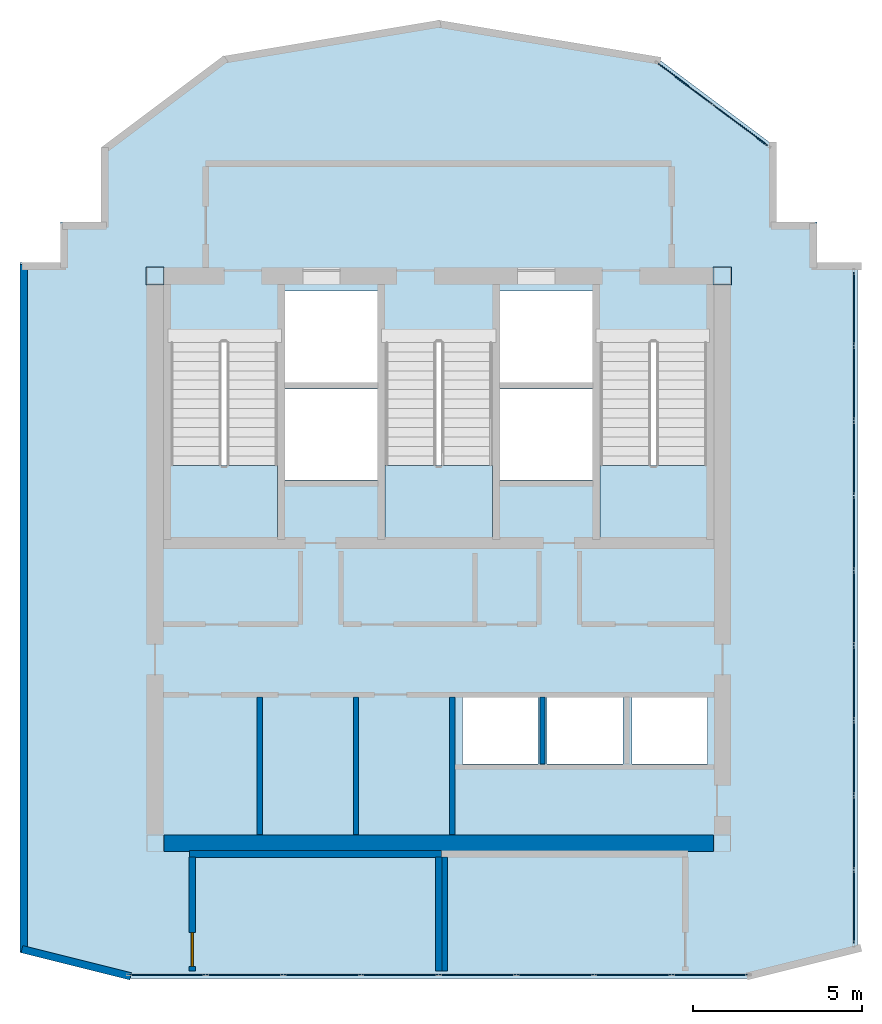
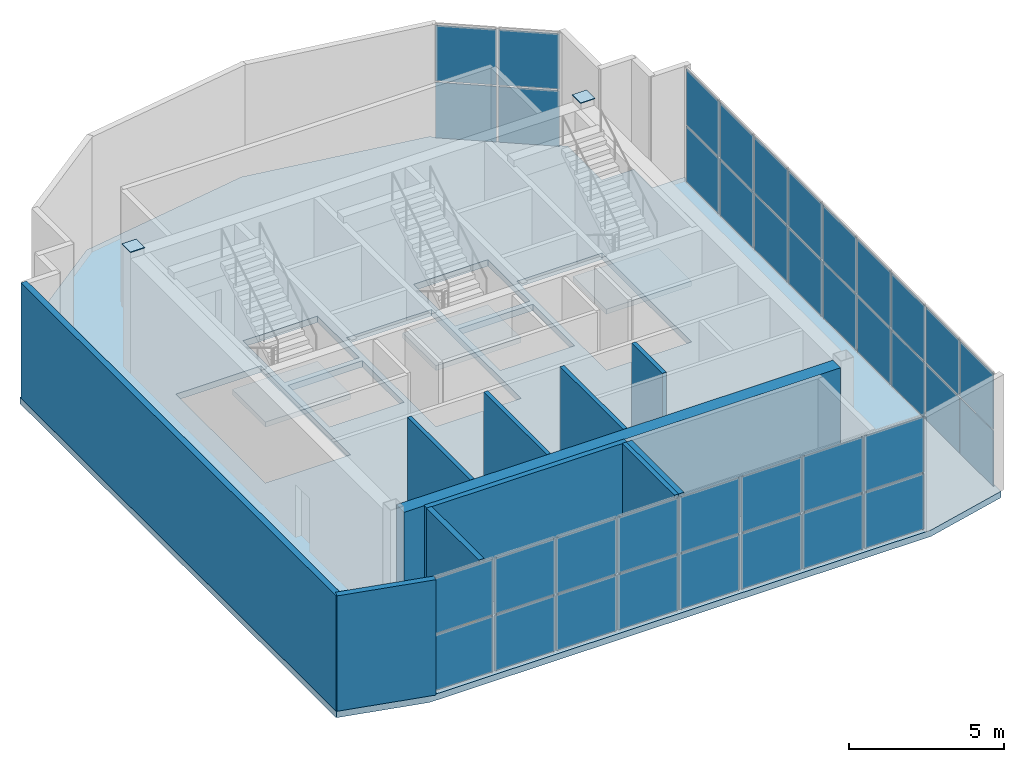
# One storey, part 6 of 9: 40 plates, 11 walls, 4 slabs, 1 door, 1 opening, 6 elements without a shape of their own.
"""IFC4 building model written with IfcOpenShell, lengths in metres."""

from ifc_helpers import new_model, si_unit, direction, frame, frame_2d, origin, origin_2d, place, context, subcontext, project, spatial, polyline, rectangle, outline, extrude, material, layer, layer_set, type_object, element, fill, aggregate, save


model = new_model("IFC4")

# Units and contexts
model_context = context("Model", 3, precision=1e-05, world=origin(), true_north=direction((0.0, 1.0)))
body_context = subcontext(model_context, "Body", "Model", "MODEL_VIEW")
ifc_project = project(units=[si_unit("LENGTHUNIT", "METRE"), si_unit("AREAUNIT", "SQUARE_METRE"), si_unit("VOLUMEUNIT", "CUBIC_METRE"), si_unit("PLANEANGLEUNIT", "RADIAN"), si_unit("MASSUNIT", "GRAM", prefix="KILO")], contexts=[model_context])

# Site, building, storey
site_placement = place(None, origin())
site = spatial("IfcSite", under=ifc_project, at=site_placement, CompositionType="ELEMENT")
building_placement = place(site_placement, origin())
building = spatial("IfcBuilding", under=site, at=building_placement, Name="Haolan Belvedere Tower", CompositionType="ELEMENT")
storey_placement = place(building_placement, frame((0.0, 0.0, 328.199951171875)))
storey = spatial("IfcBuildingStorey", under=building, at=storey_placement, Name="L82", CompositionType="ELEMENT", Elevation=328.199951171875)

# Curtain wall, plates
ifc_material_1 = material(Name="Anodised champagne-silver aluminium 6063-T6 and Low-E glass", Category="aluminium")
ifc_layer_1 = layer(ifc_material_1, 0.172119140625, Name="Anodised champagne-silver aluminium 6063-T6 and Low-E glass")
ifc_layer_set_1 = layer_set([ifc_layer_1], Name="Anodised champagne-silver aluminium 6063-T6 and Low-E glass")
curtain_wall_type = type_object("IfcCurtainWallType", Name="CW-SYS-07", PredefinedType="NOTDEFINED", material=ifc_layer_set_1)
curtain_wall_1_placement = place(storey_placement, origin())
curtain_wall_1 = element("IfcCurtainWall", 1, at=curtain_wall_1_placement, inside=storey, type_object=curtain_wall_type, Name="L82 CW-SYS-07 ribbon curtain wall 2.1", PredefinedType="NOTDEFINED")
ifc_material_2 = material(Name="Double silver Low-E laminated insulating glass", Category="glass")
ifc_layer_2 = layer(ifc_material_2, 0.030029296875, Name="Double silver Low-E laminated insulating glass")
ifc_layer_set_2 = layer_set([ifc_layer_2], Name="Double silver Low-E laminated insulating glass")
plate_type_1 = type_object("IfcPlateType", Name="CW-SYS-07-PNL", PredefinedType="CURTAIN_PANEL", material=ifc_layer_set_2)
plate_1_placement = place(storey_placement, frame((30.365234375, 22.510009765625, 0.05810546875), z_axis=(0.0, 0.0, 1.0), x_axis=(1.0, 0.0, 0.0)))
plate_1 = element("IfcPlate", 2, at=plate_1_placement, type_object=plate_type_1, Name="CW-07 panel 1.1", PredefinedType="CURTAIN_PANEL", context=body_context, shape_type="SweptSolid", body=[
    extrude(rectangle(XDim=2.20703125, YDim=0.030029296875, at=origin_2d()), origin(), (0.0, 0.0, 1.0), 2.18798828125),
])
plate_2_placement = place(storey_placement, frame((30.365234375, 22.510009765625, 2.303955078125), z_axis=(0.0, 0.0, 1.0), x_axis=(1.0, 0.0, 0.0)))
plate_2 = element("IfcPlate", 3, at=plate_2_placement, type_object=plate_type_1, Name="CW-07 panel 1.2", PredefinedType="CURTAIN_PANEL", context=body_context, shape_type="SweptSolid", body=[
    extrude(rectangle(XDim=2.20703125, YDim=0.030029296875, at=origin_2d()), origin(), (0.0, 0.0, 1.0), 2.18798828125),
])
plate_3_placement = place(storey_placement, frame((32.64990234375, 22.510009765625, 0.05810546875), z_axis=(0.0, 0.0, 1.0), x_axis=(1.0, 0.0, 0.0)))
plate_3 = element("IfcPlate", 4, at=plate_3_placement, type_object=plate_type_1, Name="CW-07 panel 2.1", PredefinedType="CURTAIN_PANEL", context=body_context, shape_type="SweptSolid", body=[
    extrude(rectangle(XDim=2.238037109375, YDim=0.030029296875, at=origin_2d()), origin(), (0.0, 0.0, 1.0), 2.18798828125),
])
plate_4_placement = place(storey_placement, frame((32.64990234375, 22.510009765625, 2.303955078125), z_axis=(0.0, 0.0, 1.0), x_axis=(1.0, 0.0, 0.0)))
plate_4 = element("IfcPlate", 5, at=plate_4_placement, type_object=plate_type_1, Name="CW-07 panel 2.2", PredefinedType="CURTAIN_PANEL", context=body_context, shape_type="SweptSolid", body=[
    extrude(rectangle(XDim=2.238037109375, YDim=0.030029296875, at=origin_2d()), origin(), (0.0, 0.0, 1.0), 2.18798828125),
])
plate_5_placement = place(storey_placement, frame((34.949951171875, 22.510009765625, 0.05810546875), z_axis=(0.0, 0.0, 1.0), x_axis=(1.0, 0.0, 0.0)))
plate_5 = element("IfcPlate", 6, at=plate_5_placement, type_object=plate_type_1, Name="CW-07 panel 3.1", PredefinedType="CURTAIN_PANEL", context=body_context, shape_type="SweptSolid", body=[
    extrude(rectangle(XDim=2.238037109375, YDim=0.030029296875, at=origin_2d()), origin(), (0.0, 0.0, 1.0), 2.18798828125),
])
plate_6_placement = place(storey_placement, frame((34.949951171875, 22.510009765625, 2.303955078125), z_axis=(0.0, 0.0, 1.0), x_axis=(1.0, 0.0, 0.0)))
plate_6 = element("IfcPlate", 7, at=plate_6_placement, type_object=plate_type_1, Name="CW-07 panel 3.2", PredefinedType="CURTAIN_PANEL", context=body_context, shape_type="SweptSolid", body=[
    extrude(rectangle(XDim=2.238037109375, YDim=0.030029296875, at=origin_2d()), origin(), (0.0, 0.0, 1.0), 2.18798828125),
])
plate_7_placement = place(storey_placement, frame((37.25, 22.510009765625, 0.05810546875), z_axis=(0.0, 0.0, 1.0), x_axis=(1.0, 0.0, 0.0)))
plate_7 = element("IfcPlate", 8, at=plate_7_placement, type_object=plate_type_1, Name="CW-07 panel 4.1", PredefinedType="CURTAIN_PANEL", context=body_context, shape_type="SweptSolid", body=[
    extrude(rectangle(XDim=2.238037109375, YDim=0.030029296875, at=origin_2d()), origin(), (0.0, 0.0, 1.0), 2.18798828125),
])
plate_8_placement = place(storey_placement, frame((37.25, 22.510009765625, 2.303955078125), z_axis=(0.0, 0.0, 1.0), x_axis=(1.0, 0.0, 0.0)))
plate_8 = element("IfcPlate", 9, at=plate_8_placement, type_object=plate_type_1, Name="CW-07 panel 4.2", PredefinedType="CURTAIN_PANEL", context=body_context, shape_type="SweptSolid", body=[
    extrude(rectangle(XDim=2.238037109375, YDim=0.030029296875, at=origin_2d()), origin(), (0.0, 0.0, 1.0), 2.18798828125),
])
plate_9_placement = place(storey_placement, frame((39.550048828125, 22.510009765625, 0.05810546875), z_axis=(0.0, 0.0, 1.0), x_axis=(1.0, 0.0, 0.0)))
plate_9 = element("IfcPlate", 10, at=plate_9_placement, type_object=plate_type_1, Name="CW-07 panel 5.1", PredefinedType="CURTAIN_PANEL", context=body_context, shape_type="SweptSolid", body=[
    extrude(rectangle(XDim=2.238037109375, YDim=0.030029296875, at=origin_2d()), origin(), (0.0, 0.0, 1.0), 2.18798828125),
])
plate_10_placement = place(storey_placement, frame((39.550048828125, 22.510009765625, 2.303955078125), z_axis=(0.0, 0.0, 1.0), x_axis=(1.0, 0.0, 0.0)))
plate_10 = element("IfcPlate", 11, at=plate_10_placement, type_object=plate_type_1, Name="CW-07 panel 5.2", PredefinedType="CURTAIN_PANEL", context=body_context, shape_type="SweptSolid", body=[
    extrude(rectangle(XDim=2.238037109375, YDim=0.030029296875, at=origin_2d()), origin(), (0.0, 0.0, 1.0), 2.18798828125),
])
plate_11_placement = place(storey_placement, frame((41.85009765625, 22.510009765625, 0.05810546875), z_axis=(0.0, 0.0, 1.0), x_axis=(1.0, 0.0, 0.0)))
plate_11 = element("IfcPlate", 12, at=plate_11_placement, type_object=plate_type_1, Name="CW-07 panel 6.1", PredefinedType="CURTAIN_PANEL", context=body_context, shape_type="SweptSolid", body=[
    extrude(rectangle(XDim=2.238037109375, YDim=0.030029296875, at=origin_2d()), origin(), (0.0, 0.0, 1.0), 2.18798828125),
])
plate_12_placement = place(storey_placement, frame((41.85009765625, 22.510009765625, 2.303955078125), z_axis=(0.0, 0.0, 1.0), x_axis=(1.0, 0.0, 0.0)))
plate_12 = element("IfcPlate", 13, at=plate_12_placement, type_object=plate_type_1, Name="CW-07 panel 6.2", PredefinedType="CURTAIN_PANEL", context=body_context, shape_type="SweptSolid", body=[
    extrude(rectangle(XDim=2.238037109375, YDim=0.030029296875, at=origin_2d()), origin(), (0.0, 0.0, 1.0), 2.18798828125),
])
plate_13_placement = place(storey_placement, frame((44.150146484375, 22.510009765625, 0.05810546875), z_axis=(0.0, 0.0, 1.0), x_axis=(1.0, 0.0, 0.0)))
plate_13 = element("IfcPlate", 14, at=plate_13_placement, type_object=plate_type_1, Name="CW-07 panel 7.1", PredefinedType="CURTAIN_PANEL", context=body_context, shape_type="SweptSolid", body=[
    extrude(rectangle(XDim=2.238037109375, YDim=0.030029296875, at=origin_2d()), origin(), (0.0, 0.0, 1.0), 2.18798828125),
])
plate_14_placement = place(storey_placement, frame((44.150146484375, 22.510009765625, 2.303955078125), z_axis=(0.0, 0.0, 1.0), x_axis=(1.0, 0.0, 0.0)))
plate_14 = element("IfcPlate", 15, at=plate_14_placement, type_object=plate_type_1, Name="CW-07 panel 7.2", PredefinedType="CURTAIN_PANEL", context=body_context, shape_type="SweptSolid", body=[
    extrude(rectangle(XDim=2.238037109375, YDim=0.030029296875, at=origin_2d()), origin(), (0.0, 0.0, 1.0), 2.18798828125),
])
plate_15_placement = place(storey_placement, frame((46.434814453125, 22.510009765625, 0.05810546875), z_axis=(0.0, 0.0, 1.0), x_axis=(1.0, 0.0, 0.0)))
plate_15 = element("IfcPlate", 16, at=plate_15_placement, type_object=plate_type_1, Name="CW-07 panel 8.1", PredefinedType="CURTAIN_PANEL", context=body_context, shape_type="SweptSolid", body=[
    extrude(rectangle(XDim=2.20703125, YDim=0.030029296875, at=origin_2d()), origin(), (0.0, 0.0, 1.0), 2.18798828125),
])
plate_16_placement = place(storey_placement, frame((46.434814453125, 22.510009765625, 2.303955078125), z_axis=(0.0, 0.0, 1.0), x_axis=(1.0, 0.0, 0.0)))
plate_16 = element("IfcPlate", 17, at=plate_16_placement, type_object=plate_type_1, Name="CW-07 panel 8.2", PredefinedType="CURTAIN_PANEL", context=body_context, shape_type="SweptSolid", body=[
    extrude(rectangle(XDim=2.20703125, YDim=0.030029296875, at=origin_2d()), origin(), (0.0, 0.0, 1.0), 2.18798828125),
])
aggregate(curtain_wall_1, [plate_1, plate_2, plate_3, plate_4, plate_5, plate_6, plate_7, plate_8, plate_9, plate_10, plate_11, plate_12, plate_13, plate_14, plate_15, plate_16])

curtain_wall_2_placement = place(storey_placement, origin())
curtain_wall_2 = element("IfcCurtainWall", 18, at=curtain_wall_2_placement, inside=storey, type_object=curtain_wall_type, Name="L82 CW-SYS-07 ribbon curtain wall 4.1", PredefinedType="NOTDEFINED")
plate_17_placement = place(storey_placement, frame((50.68994140625, 24.511962890625, 0.05810546875), z_axis=(0.0, 0.0, 1.0), x_axis=(0.0, 1.0, 0.0)))
plate_17 = element("IfcPlate", 19, at=plate_17_placement, type_object=plate_type_1, Name="CW-07 panel 1.1", PredefinedType="CURTAIN_PANEL", context=body_context, shape_type="SweptSolid", body=[
    extrude(rectangle(XDim=2.125, YDim=0.030029296875, at=origin_2d()), origin(), (0.0, 0.0, 1.0), 2.18798828125),
])
plate_18_placement = place(storey_placement, frame((50.68994140625, 24.511962890625, 2.303955078125), z_axis=(0.0, 0.0, 1.0), x_axis=(0.0, 1.0, 0.0)))
plate_18 = element("IfcPlate", 20, at=plate_18_placement, type_object=plate_type_1, Name="CW-07 panel 1.2", PredefinedType="CURTAIN_PANEL", context=body_context, shape_type="SweptSolid", body=[
    extrude(rectangle(XDim=2.125, YDim=0.030029296875, at=origin_2d()), origin(), (0.0, 0.0, 1.0), 2.18798828125),
])
plate_19_placement = place(storey_placement, frame((50.68994140625, 26.714599609375, 0.05810546875), z_axis=(0.0, 0.0, 1.0), x_axis=(0.0, 1.0, 0.0)))
plate_19 = element("IfcPlate", 21, at=plate_19_placement, type_object=plate_type_1, Name="CW-07 panel 2.1", PredefinedType="CURTAIN_PANEL", context=body_context, shape_type="SweptSolid", body=[
    extrude(rectangle(XDim=2.156005859375, YDim=0.030029296875, at=origin_2d()), origin(), (0.0, 0.0, 1.0), 2.18798828125),
])
plate_20_placement = place(storey_placement, frame((50.68994140625, 26.714599609375, 2.303955078125), z_axis=(0.0, 0.0, 1.0), x_axis=(0.0, 1.0, 0.0)))
plate_20 = element("IfcPlate", 22, at=plate_20_placement, type_object=plate_type_1, Name="CW-07 panel 2.2", PredefinedType="CURTAIN_PANEL", context=body_context, shape_type="SweptSolid", body=[
    extrude(rectangle(XDim=2.156005859375, YDim=0.030029296875, at=origin_2d()), origin(), (0.0, 0.0, 1.0), 2.18798828125),
])
plate_21_placement = place(storey_placement, frame((50.68994140625, 28.9326171875, 0.05810546875), z_axis=(0.0, 0.0, 1.0), x_axis=(0.0, 1.0, 0.0)))
plate_21 = element("IfcPlate", 23, at=plate_21_placement, type_object=plate_type_1, Name="CW-07 panel 3.1", PredefinedType="CURTAIN_PANEL", context=body_context, shape_type="SweptSolid", body=[
    extrude(rectangle(XDim=2.156005859375, YDim=0.030029296875, at=origin_2d()), origin(), (0.0, 0.0, 1.0), 2.18798828125),
])
plate_22_placement = place(storey_placement, frame((50.68994140625, 28.9326171875, 2.303955078125), z_axis=(0.0, 0.0, 1.0), x_axis=(0.0, 1.0, 0.0)))
plate_22 = element("IfcPlate", 24, at=plate_22_placement, type_object=plate_type_1, Name="CW-07 panel 3.2", PredefinedType="CURTAIN_PANEL", context=body_context, shape_type="SweptSolid", body=[
    extrude(rectangle(XDim=2.156005859375, YDim=0.030029296875, at=origin_2d()), origin(), (0.0, 0.0, 1.0), 2.18798828125),
])
plate_23_placement = place(storey_placement, frame((50.68994140625, 31.150634765625, 0.05810546875), z_axis=(0.0, 0.0, 1.0), x_axis=(0.0, 1.0, 0.0)))
plate_23 = element("IfcPlate", 25, at=plate_23_placement, type_object=plate_type_1, Name="CW-07 panel 4.1", PredefinedType="CURTAIN_PANEL", context=body_context, shape_type="SweptSolid", body=[
    extrude(rectangle(XDim=2.156005859375, YDim=0.030029296875, at=origin_2d()), origin(), (0.0, 0.0, 1.0), 2.18798828125),
])
plate_24_placement = place(storey_placement, frame((50.68994140625, 31.150634765625, 2.303955078125), z_axis=(0.0, 0.0, 1.0), x_axis=(0.0, 1.0, 0.0)))
plate_24 = element("IfcPlate", 26, at=plate_24_placement, type_object=plate_type_1, Name="CW-07 panel 4.2", PredefinedType="CURTAIN_PANEL", context=body_context, shape_type="SweptSolid", body=[
    extrude(rectangle(XDim=2.156005859375, YDim=0.030029296875, at=origin_2d()), origin(), (0.0, 0.0, 1.0), 2.18798828125),
])
plate_25_placement = place(storey_placement, frame((50.68994140625, 33.36865234375, 0.05810546875), z_axis=(0.0, 0.0, 1.0), x_axis=(0.0, 1.0, 0.0)))
plate_25 = element("IfcPlate", 27, at=plate_25_placement, type_object=plate_type_1, Name="CW-07 panel 5.1", PredefinedType="CURTAIN_PANEL", context=body_context, shape_type="SweptSolid", body=[
    extrude(rectangle(XDim=2.156005859375, YDim=0.030029296875, at=origin_2d()), origin(), (0.0, 0.0, 1.0), 2.18798828125),
])
plate_26_placement = place(storey_placement, frame((50.68994140625, 33.36865234375, 2.303955078125), z_axis=(0.0, 0.0, 1.0), x_axis=(0.0, 1.0, 0.0)))
plate_26 = element("IfcPlate", 28, at=plate_26_placement, type_object=plate_type_1, Name="CW-07 panel 5.2", PredefinedType="CURTAIN_PANEL", context=body_context, shape_type="SweptSolid", body=[
    extrude(rectangle(XDim=2.156005859375, YDim=0.030029296875, at=origin_2d()), origin(), (0.0, 0.0, 1.0), 2.18798828125),
])
plate_27_placement = place(storey_placement, frame((50.68994140625, 35.5869140625, 0.05810546875), z_axis=(0.0, 0.0, 1.0), x_axis=(0.0, 1.0, 0.0)))
plate_27 = element("IfcPlate", 29, at=plate_27_placement, type_object=plate_type_1, Name="CW-07 panel 6.1", PredefinedType="CURTAIN_PANEL", context=body_context, shape_type="SweptSolid", body=[
    extrude(rectangle(XDim=2.156005859375, YDim=0.030029296875, at=origin_2d()), origin(), (0.0, 0.0, 1.0), 2.18798828125),
])
plate_28_placement = place(storey_placement, frame((50.68994140625, 35.5869140625, 2.303955078125), z_axis=(0.0, 0.0, 1.0), x_axis=(0.0, 1.0, 0.0)))
plate_28 = element("IfcPlate", 30, at=plate_28_placement, type_object=plate_type_1, Name="CW-07 panel 6.2", PredefinedType="CURTAIN_PANEL", context=body_context, shape_type="SweptSolid", body=[
    extrude(rectangle(XDim=2.156005859375, YDim=0.030029296875, at=origin_2d()), origin(), (0.0, 0.0, 1.0), 2.18798828125),
])
plate_29_placement = place(storey_placement, frame((50.68994140625, 37.804931640625, 0.05810546875), z_axis=(0.0, 0.0, 1.0), x_axis=(0.0, 1.0, 0.0)))
plate_29 = element("IfcPlate", 31, at=plate_29_placement, type_object=plate_type_1, Name="CW-07 panel 7.1", PredefinedType="CURTAIN_PANEL", context=body_context, shape_type="SweptSolid", body=[
    extrude(rectangle(XDim=2.156005859375, YDim=0.030029296875, at=origin_2d()), origin(), (0.0, 0.0, 1.0), 2.18798828125),
])
plate_30_placement = place(storey_placement, frame((50.68994140625, 37.804931640625, 2.303955078125), z_axis=(0.0, 0.0, 1.0), x_axis=(0.0, 1.0, 0.0)))
plate_30 = element("IfcPlate", 32, at=plate_30_placement, type_object=plate_type_1, Name="CW-07 panel 7.2", PredefinedType="CURTAIN_PANEL", context=body_context, shape_type="SweptSolid", body=[
    extrude(rectangle(XDim=2.156005859375, YDim=0.030029296875, at=origin_2d()), origin(), (0.0, 0.0, 1.0), 2.18798828125),
])
plate_31_placement = place(storey_placement, frame((50.68994140625, 40.02294921875, 0.05810546875), z_axis=(0.0, 0.0, 1.0), x_axis=(0.0, 1.0, 0.0)))
plate_31 = element("IfcPlate", 33, at=plate_31_placement, type_object=plate_type_1, Name="CW-07 panel 8.1", PredefinedType="CURTAIN_PANEL", context=body_context, shape_type="SweptSolid", body=[
    extrude(rectangle(XDim=2.156005859375, YDim=0.030029296875, at=origin_2d()), origin(), (0.0, 0.0, 1.0), 2.18798828125),
])
plate_32_placement = place(storey_placement, frame((50.68994140625, 40.02294921875, 2.303955078125), z_axis=(0.0, 0.0, 1.0), x_axis=(0.0, 1.0, 0.0)))
plate_32 = element("IfcPlate", 34, at=plate_32_placement, type_object=plate_type_1, Name="CW-07 panel 8.2", PredefinedType="CURTAIN_PANEL", context=body_context, shape_type="SweptSolid", body=[
    extrude(rectangle(XDim=2.156005859375, YDim=0.030029296875, at=origin_2d()), origin(), (0.0, 0.0, 1.0), 2.18798828125),
])
plate_33_placement = place(storey_placement, frame((50.68994140625, 42.2255859375, 0.05810546875), z_axis=(0.0, 0.0, 1.0), x_axis=(0.0, 1.0, 0.0)))
plate_33 = element("IfcPlate", 35, at=plate_33_placement, type_object=plate_type_1, Name="CW-07 panel 9.1", PredefinedType="CURTAIN_PANEL", context=body_context, shape_type="SweptSolid", body=[
    extrude(rectangle(XDim=2.125, YDim=0.030029296875, at=origin_2d()), origin(), (0.0, 0.0, 1.0), 2.18798828125),
])
plate_34_placement = place(storey_placement, frame((50.68994140625, 42.2255859375, 2.303955078125), z_axis=(0.0, 0.0, 1.0), x_axis=(0.0, 1.0, 0.0)))
plate_34 = element("IfcPlate", 36, at=plate_34_placement, type_object=plate_type_1, Name="CW-07 panel 9.2", PredefinedType="CURTAIN_PANEL", context=body_context, shape_type="SweptSolid", body=[
    extrude(rectangle(XDim=2.125, YDim=0.030029296875, at=origin_2d()), origin(), (0.0, 0.0, 1.0), 2.18798828125),
])
aggregate(curtain_wall_2, [plate_17, plate_18, plate_19, plate_20, plate_21, plate_22, plate_23, plate_24, plate_25, plate_26, plate_27, plate_28, plate_29, plate_30, plate_31, plate_32, plate_33, plate_34])

curtain_wall_3_placement = place(storey_placement, origin())
curtain_wall_3 = element("IfcCurtainWall", 37, at=curtain_wall_3_placement, inside=storey, type_object=curtain_wall_type, Name="L82 CW-SYS-07 ribbon curtain wall 9.1", PredefinedType="NOTDEFINED")
plate_35_placement = place(storey_placement, frame((47.33544921875, 47.660888671875, 0.05810546875), z_axis=(0.0, 0.0, 1.0), x_axis=(-0.799991326093, 0.600011565036, 0.0)))
plate_35 = element("IfcPlate", 38, at=plate_35_placement, type_object=plate_type_1, Name="CW-07 panel 1.1", PredefinedType="CURTAIN_PANEL", context=body_context, shape_type="SweptSolid", body=[
    extrude(rectangle(XDim=1.982177734375, YDim=0.030029296875, at=origin_2d()), origin(), (0.0, 0.0, 1.0), 2.18798828125),
])
plate_36_placement = place(storey_placement, frame((47.33544921875, 47.660888671875, 2.303955078125), z_axis=(0.0, 0.0, 1.0), x_axis=(-0.799991326093, 0.600011565036, 0.0)))
plate_36 = element("IfcPlate", 39, at=plate_36_placement, type_object=plate_type_1, Name="CW-07 panel 1.2", PredefinedType="CURTAIN_PANEL", context=body_context, shape_type="SweptSolid", body=[
    extrude(rectangle(XDim=1.982177734375, YDim=0.030029296875, at=origin_2d()), origin(), (0.0, 0.0, 1.0), 2.18798828125),
])
plate_37_placement = place(storey_placement, frame((45.7001953125, 48.887451171875, 0.05810546875), z_axis=(0.0, 0.0, 1.0), x_axis=(-0.799991326093, 0.600011565036, 0.0)))
plate_37 = element("IfcPlate", 40, at=plate_37_placement, type_object=plate_type_1, Name="CW-07 panel 2.1", PredefinedType="CURTAIN_PANEL", context=body_context, shape_type="SweptSolid", body=[
    extrude(rectangle(XDim=1.982177734375, YDim=0.030029296875, at=origin_2d()), origin(), (0.0, 0.0, 1.0), 2.18798828125),
])
plate_38_placement = place(storey_placement, frame((45.7001953125, 48.887451171875, 2.303955078125), z_axis=(0.0, 0.0, 1.0), x_axis=(-0.799991326093, 0.600011565036, 0.0)))
plate_38 = element("IfcPlate", 41, at=plate_38_placement, type_object=plate_type_1, Name="CW-07 panel 2.2", PredefinedType="CURTAIN_PANEL", context=body_context, shape_type="SweptSolid", body=[
    extrude(rectangle(XDim=1.982177734375, YDim=0.030029296875, at=origin_2d()), origin(), (0.0, 0.0, 1.0), 2.18798828125),
])
aggregate(curtain_wall_3, [plate_35, plate_36, plate_37, plate_38])

# Plates
ifc_material_3 = material(Name="Steel Q355B", Category="steel")
ifc_layer_3 = layer(ifc_material_3, 0.02490234375, Name="Steel Q355B")
ifc_layer_set_3 = layer_set([ifc_layer_3], Name="Steel Q355B")
plate_type_2 = type_object("IfcPlateType", Name="PL-CAP-25", PredefinedType="SHEET", material=ifc_layer_set_3)
for number, where, z_axis, x_axis, name in (
    (42, (30.0, 43.199951171875, 4.800048828125), (0.0, 0.0, 1.0), (1.0, 0.0, 0.0), "Hollow steel end-cap plate COL-L82-CC-CR-NW-TCAP"),
    (43, (46.800048828125, 43.199951171875, 4.800048828125), (0.0, 0.0, 1.0), (1.0, 0.0, 0.0), "Hollow steel end-cap plate COL-L82-CC-CR-NE-TCAP"),
):
    element("IfcPlate", number, at=place(storey_placement, frame(where, z_axis=z_axis, x_axis=x_axis)), inside=storey, type_object=plate_type_2, Name=name, PredefinedType="SHEET", context=body_context, shape_type="SweptSolid", body=[
        extrude(rectangle(XDim=0.5400390625, YDim=0.5400390625, at=origin_2d()), origin(), (0.0, 0.0, 1.0), 0.02490234375),
    ])

# Slab
ifc_material_4 = material(Name="Concrete C40/50", Category="concrete")
ifc_layer_4 = layer(ifc_material_4, 0.25, Name="Concrete C40/50")
ifc_layer_set_4 = layer_set([ifc_layer_4], Name="Concrete C40/50")
slab_type_1 = type_object("IfcSlabType", Name="SL-FLR-250", PredefinedType="FLOOR", material=ifc_layer_set_4)
slab_1_placement = place(storey_placement, frame((0.0, 0.0, -0.25)))
element("IfcSlab", 44, at=slab_1_placement, inside=storey, type_object=slab_type_1, Name="L82 structural floor slab", PredefinedType="FLOOR", context=body_context, shape_type="SweptSolid", body=[
    extrude(outline(polyline([(26.0, 43.60009765625), (27.199951171875, 43.60009765625), (27.199951171875, 44.800048828125), (28.39990234375, 44.800048828125), (28.39990234375, 47.0), (32.009765625, 49.70751953125), (38.39990234375, 50.7724609375), (44.790283203125, 49.70751953125), (48.39990234375, 47.0), (48.39990234375, 44.800048828125), (49.60009765625, 44.800048828125), (49.60009765625, 43.60009765625), (50.800048828125, 43.60009765625), (50.800048828125, 23.16162109375), (47.75390625, 22.39990234375), (29.046142578125, 22.39990234375), (26.0, 23.16162109375), (26.0, 43.60009765625)]), holes=[polyline([(30.449951171875, 41.22998046875), (30.449951171875, 35.449951171875), (33.6298828125, 35.449951171875), (33.6298828125, 41.22998046875), (30.449951171875, 41.22998046875)]), polyline([(36.81005859375, 41.22998046875), (36.81005859375, 35.449951171875), (39.989990234375, 35.449951171875), (39.989990234375, 41.22998046875), (36.81005859375, 41.22998046875)]), polyline([(43.169921875, 41.22998046875), (43.169921875, 35.449951171875), (46.35009765625, 35.449951171875), (46.35009765625, 41.22998046875), (43.169921875, 41.22998046875)]), polyline([(33.830078125, 40.050048828125), (36.610107421875, 40.050048828125), (36.610107421875, 42.75), (33.830078125, 42.75), (33.830078125, 40.050048828125)]), polyline([(33.830078125, 37.14990234375), (36.610107421875, 37.14990234375), (36.610107421875, 39.85009765625), (33.830078125, 39.85009765625), (33.830078125, 37.14990234375)]), polyline([(40.18994140625, 40.050048828125), (42.969970703125, 40.050048828125), (42.969970703125, 42.75), (40.18994140625, 42.75), (40.18994140625, 40.050048828125)]), polyline([(40.18994140625, 37.14990234375), (42.969970703125, 37.14990234375), (42.969970703125, 39.85009765625), (40.18994140625, 39.85009765625), (40.18994140625, 37.14990234375)]), polyline([(39.10009765625, 28.75), (41.340087890625, 28.75), (41.340087890625, 30.75), (39.10009765625, 30.75), (39.10009765625, 28.75)]), polyline([(41.610107421875, 28.75), (43.85009765625, 28.75), (43.85009765625, 30.75), (41.610107421875, 30.75), (41.610107421875, 28.75)]), polyline([(44.1201171875, 28.75), (46.360107421875, 28.75), (46.360107421875, 30.75), (44.1201171875, 30.75), (44.1201171875, 28.75)])]), origin(), (0.0, 0.0, 1.0), 0.25),
])

# Stair, slab
stair_type = type_object("IfcStairType", Name="STR-DL-28R-171", PredefinedType="HALF_TURN_STAIR", material=ifc_material_4)
stair_1_placement = place(storey_placement, origin())
stair_1 = element("IfcStair", 45, at=stair_1_placement, inside=storey, type_object=stair_type, Name="L82 Smokeproof Core Exit Stair ST1", PredefinedType="HALF_TURN_STAIR")
ifc_layer_5 = layer(ifc_material_4, 0.199951171875, Name="Concrete C40/50")
ifc_layer_set_5 = layer_set([ifc_layer_5], Name="Concrete C40/50")
slab_type_2 = type_object("IfcSlabType", Name="SL-LAND-200", PredefinedType="LANDING", material=ifc_layer_set_5)
slab_2_placement = place(storey_placement, frame((0.0, 0.0, 2.199951171875)))
slab_2 = element("IfcSlab", 46, at=slab_2_placement, type_object=slab_type_2, Name="ST1 landing 1", PredefinedType="LANDING", context=body_context, shape_type="SweptSolid", body=[
    extrude(outline(polyline([(30.449951171875, 37.590087890625), (30.449951171875, 35.449951171875), (33.6298828125, 35.449951171875), (33.6298828125, 37.590087890625), (30.449951171875, 37.590087890625)])), origin(), (0.0, 0.0, 1.0), 0.2001953125),
])
aggregate(stair_1, [slab_2])

stair_2_placement = place(storey_placement, origin())
stair_2 = element("IfcStair", 47, at=stair_2_placement, inside=storey, type_object=stair_type, Name="L82 Smokeproof Core Exit Stair ST3", PredefinedType="HALF_TURN_STAIR")
slab_3_placement = place(storey_placement, frame((0.0, 0.0, 2.199951171875)))
slab_3 = element("IfcSlab", 48, at=slab_3_placement, type_object=slab_type_2, Name="ST3 landing 1", PredefinedType="LANDING", context=body_context, shape_type="SweptSolid", body=[
    extrude(outline(polyline([(36.81005859375, 37.590087890625), (36.81005859375, 35.449951171875), (39.989990234375, 35.449951171875), (39.989990234375, 37.590087890625), (36.81005859375, 37.590087890625)])), origin(), (0.0, 0.0, 1.0), 0.2001953125),
])
aggregate(stair_2, [slab_3])

stair_3_placement = place(storey_placement, origin())
stair_3 = element("IfcStair", 49, at=stair_3_placement, inside=storey, type_object=stair_type, Name="L82 Smokeproof Core Exit Stair ST2", PredefinedType="HALF_TURN_STAIR")
slab_4_placement = place(storey_placement, frame((0.0, 0.0, 2.199951171875)))
slab_4 = element("IfcSlab", 50, at=slab_4_placement, type_object=slab_type_2, Name="ST2 landing 1", PredefinedType="LANDING", context=body_context, shape_type="SweptSolid", body=[
    extrude(outline(polyline([(43.169921875, 37.590087890625), (43.169921875, 35.449951171875), (46.35009765625, 35.449951171875), (46.35009765625, 37.590087890625), (43.169921875, 37.590087890625)])), origin(), (0.0, 0.0, 1.0), 0.2001953125),
])
aggregate(stair_3, [slab_4])

# Walls
ifc_material_5 = material(Name="Concrete C50/60", Category="concrete")
ifc_layer_6 = layer(ifc_material_5, 0.5, Name="Concrete C50/60")
ifc_layer_set_6 = layer_set([ifc_layer_6], Name="Concrete C50/60")
wall_type_1 = type_object("IfcWallType", Name="WL-CORE-500", PredefinedType="SHEAR", material=ifc_layer_set_6)
wall_1_placement = place(storey_placement, frame((30.260009765625, 26.39990234375, 0.0), z_axis=(0.0, 0.0, 1.0), x_axis=(1.0, 0.0, 0.0)))
element("IfcWall", 51, at=wall_1_placement, inside=storey, type_object=wall_type_1, Name="L82 central core south shear wall", PredefinedType="SHEAR", context=body_context, shape_type="SweptSolid", body=[
    extrude(rectangle(XDim=16.280029296875, YDim=0.5, at=frame_2d((8.14013671875, 0.0))), origin(), (0.0, 0.0, 1.0), 4.550048828125),
])
ifc_material_6 = material(Name="Precast concrete C40/50", Category="concrete")
ifc_layer_7 = layer(ifc_material_6, 0.219970703125, Name="Precast concrete C40/50")
ifc_layer_set_7 = layer_set([ifc_layer_7], Name="Precast concrete C40/50")
wall_type_2 = type_object("IfcWallType", Name="WL-EXT-220", PredefinedType="SOLIDWALL", material=ifc_layer_set_7)
wall_2_placement = place(storey_placement, frame((26.056640625, 23.2607421875, 0.0), z_axis=(0.0, 0.0, 1.0), x_axis=(0.970138175099, -0.242552924566, 0.0)))
element("IfcWall", 52, at=wall_2_placement, inside=storey, type_object=wall_type_2, Name="L82 pale-metal exterior spandrel wall 1.1", PredefinedType="SOLIDWALL", context=body_context, shape_type="SweptSolid", body=[
    extrude(rectangle(XDim=3.320556640625, YDim=0.219970703125, at=frame_2d((1.66015625, 0.0))), origin(), (0.0, 0.0, 1.0), 4.550048828125),
])
wall_3_placement = place(storey_placement, frame((26.110107421875, 43.544921875, 0.0), z_axis=(0.0, 0.0, 1.0), x_axis=(0.0, -1.0, 0.0)))
element("IfcWall", 53, at=wall_3_placement, inside=storey, type_object=wall_type_2, Name="L82 pale-metal exterior spandrel wall 17.1", PredefinedType="SOLIDWALL", context=body_context, shape_type="SweptSolid", body=[
    extrude(rectangle(XDim=20.3525390625, YDim=0.219970703125, at=frame_2d((10.17626953125, 0.0))), origin(), (0.0, 0.0, 1.0), 4.550048828125),
])
ifc_layer_8 = layer(ifc_material_4, 0.199951171875, Name="Concrete C40/50")
ifc_layer_set_8 = layer_set([ifc_layer_8], Name="Concrete C40/50")
wall_type_3 = type_object("IfcWallType", Name="WL-FIRE-200", PredefinedType="SOLIDWALL", material=ifc_layer_set_8)
wall_4_placement = place(storey_placement, frame((31.02001953125, 26.080078125, 0.0), z_axis=(0.0, 0.0, 1.0), x_axis=(1.0, 0.0, 0.0)))
element("IfcWall", 54, at=wall_4_placement, inside=storey, type_object=wall_type_3, Name="L82 interior partition IW-L82-CRN-CHIL-N", PredefinedType="SOLIDWALL", context=body_context, shape_type="SweptSolid", body=[
    extrude(rectangle(XDim=7.4599609375, YDim=0.199951171875, at=frame_2d((3.72998046875, 0.0))), origin(), (0.0, 0.0, 1.0), 4.550048828125),
])

# Wall, opening, door
wall_5_placement = place(storey_placement, frame((31.10009765625, 22.612060546875, 0.0), z_axis=(0.0, 0.0, 1.0), x_axis=(0.0, 1.0, 0.0)))
wall_5 = element("IfcWall", 55, at=wall_5_placement, inside=storey, type_object=wall_type_3, Name="L82 interior partition IW-L82-CRN-CHIL-W", PredefinedType="SOLIDWALL", context=body_context, shape_type="SweptSolid", body=[
    extrude(rectangle(XDim=3.383056640625, YDim=0.199951171875, at=frame_2d((1.69140625, 0.0))), origin(), (0.0, 0.0, 1.0), 4.550048828125),
])
opening_placement = place(wall_5_placement, frame((0.139892578125, 0.0, 0.0)))
opening = element("IfcOpeningElement", 56, at=opening_placement, cuts=wall_5, Name="Opening FD-04", PredefinedType="OPENING", context=body_context, shape_type="SweptSolid", body=[
    extrude(rectangle(XDim=1.0, YDim=2.10009765625, at=frame_2d((0.5, 1.050048828125))), frame((0.0, 0.10986328125, 0.0), z_axis=(0.0, -1.0, 0.0), x_axis=(1.0, 0.0, 0.0)), (0.0, 0.0, 1.0), 0.219970703125),
])
ifc_material_7 = material(Name="Galvanised fire-rated steel", Category="steel")
door_type = type_object("IfcDoorType", Name="DR-FD90-1000", OperationType="NOTDEFINED", PredefinedType="DOOR", material=ifc_material_7)
door_placement = place(opening_placement, origin())
door = element("IfcDoor", 57, at=door_placement, inside=storey, type_object=door_type, Name="L82 door ID-L82-CRN-CHIL", OperationType="SINGLE_SWING_LEFT", OverallHeight=2.10009765625, OverallWidth=1.0, PredefinedType="DOOR", context=body_context, shape_type="SweptSolid", body=[
    extrude(rectangle(XDim=1.0, YDim=2.10009765625, at=frame_2d((0.5, 1.050048828125))), frame((0.0, 0.02490234375, 0.0), z_axis=(0.0, -1.0, 0.0), x_axis=(1.0, 0.0, 0.0)), (0.0, 0.0, 1.0), 0.050048828125),
])
fill(opening, door)

# Walls
for number, where, z_axis, x_axis, name in (
    (58, (38.39990234375, 22.612060546875, 0.0), (0.0, 0.0, 1.0), (0.0, 1.0, 0.0), "L82 interior partition IW-L82-CRN-CHIL-E"),
    (59, (38.56005859375, 22.612060546875, 0.0), (0.0, 0.0, 1.0), (0.0, 1.0, 0.0), "L82 interior partition IW-L82-CRN-AHU-W"),
):
    element("IfcWall", number, at=place(storey_placement, frame(where, z_axis=z_axis, x_axis=x_axis)), inside=storey, type_object=wall_type_3, Name=name, PredefinedType="SOLIDWALL", context=body_context, shape_type="SweptSolid", body=[
        extrude(rectangle(XDim=3.383056640625, YDim=0.199951171875, at=frame_2d((1.69140625, 0.0))), origin(), (0.0, 0.0, 1.0), 4.550048828125),
    ])
ifc_material_8 = material(Name="Double gypsum acoustic stud partition", Category="masonry")
ifc_layer_9 = layer(ifc_material_8, 0.14990234375, Name="Double gypsum acoustic stud partition")
ifc_layer_set_9 = layer_set([ifc_layer_9], Name="Double gypsum acoustic stud partition")
wall_type_4 = type_object("IfcWallType", Name="WL-PART-150", PredefinedType="PARTITIONING", material=ifc_layer_set_9)
for number, where, z_axis, x_axis, name in (
    (60, (33.10009765625, 26.659912109375, 0.0), (0.0, 0.0, 1.0), (0.0, 1.0, 0.0), "L82 interior partition IW-L82-DIV-REUSE-PM1"),
    (61, (35.949951171875, 26.659912109375, 0.0), (0.0, 0.0, 1.0), (0.0, 1.0, 0.0), "L82 interior partition IW-L82-DIV-REUSE-PM2"),
):
    element("IfcWall", number, at=place(storey_placement, frame(where, z_axis=z_axis, x_axis=x_axis)), inside=storey, type_object=wall_type_4, Name=name, PredefinedType="PARTITIONING", context=body_context, shape_type="SweptSolid", body=[
        extrude(rectangle(XDim=4.0751953125, YDim=0.14990234375, at=frame_2d((2.03759765625, 0.0))), origin(), (0.0, 0.0, 1.0), 4.550048828125),
    ])
ifc_material_9 = material(Name="Gypsum fire shaftwall assembly", Category="masonry")
ifc_layer_10 = layer(ifc_material_9, 0.1650390625, Name="Gypsum fire shaftwall assembly")
ifc_layer_set_10 = layer_set([ifc_layer_10], Name="Gypsum fire shaftwall assembly")
wall_type_5 = type_object("IfcWallType", Name="WL-SHAFT-160", PredefinedType="SOLIDWALL", material=ifc_layer_set_10)
wall_6_placement = place(storey_placement, frame((38.800048828125, 26.659912109375, 0.0), z_axis=(0.0, 0.0, 1.0), x_axis=(0.0, 1.0, 0.0)))
element("IfcWall", 62, at=wall_6_placement, inside=storey, type_object=wall_type_5, Name="L82 interior partition IW-L82-DIV-PM-OB", PredefinedType="SOLIDWALL", context=body_context, shape_type="SweptSolid", body=[
    extrude(rectangle(XDim=4.0751953125, YDim=0.14990234375, at=frame_2d((2.03759765625, 0.0))), origin(), (0.0, 0.0, 1.0), 4.550048828125),
])
wall_7_placement = place(storey_placement, frame((41.469970703125, 28.75, 0.0), z_axis=(0.0, 0.0, 1.0), x_axis=(0.0, 1.0, 0.0)))
element("IfcWall", 63, at=wall_7_placement, inside=storey, type_object=wall_type_5, Name="L82 interior partition IW-L82-DIV-OB1", PredefinedType="SOLIDWALL", context=body_context, shape_type="SweptSolid", body=[
    extrude(rectangle(XDim=1.985107421875, YDim=0.14990234375, at=frame_2d((0.99267578125, 0.0))), origin(), (0.0, 0.0, 1.0), 4.550048828125),
])

save(model, "model.ifc")
